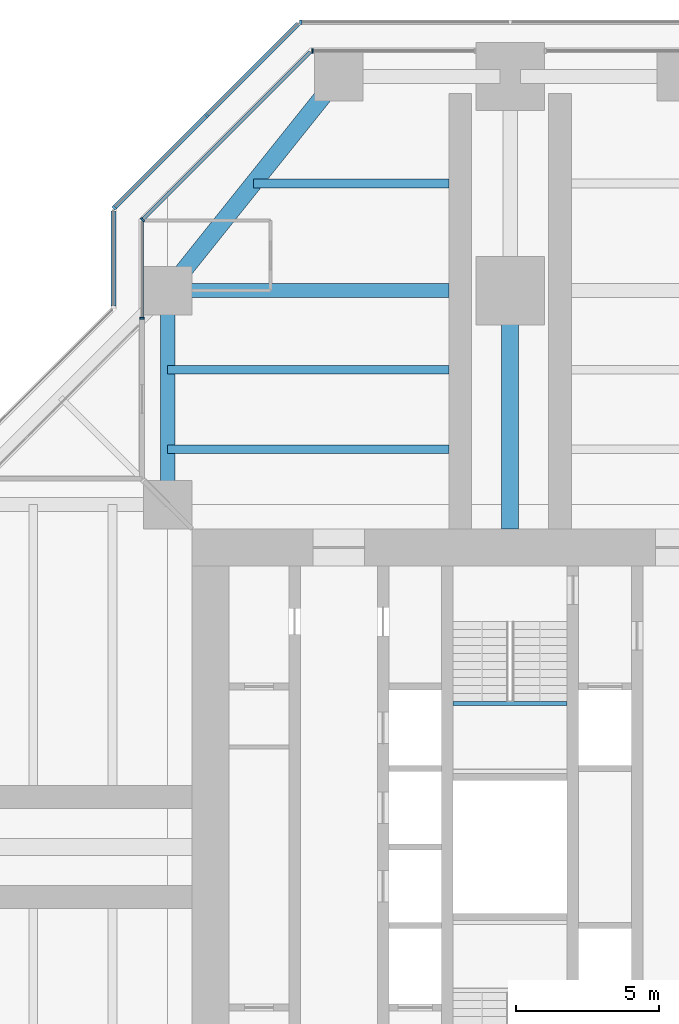
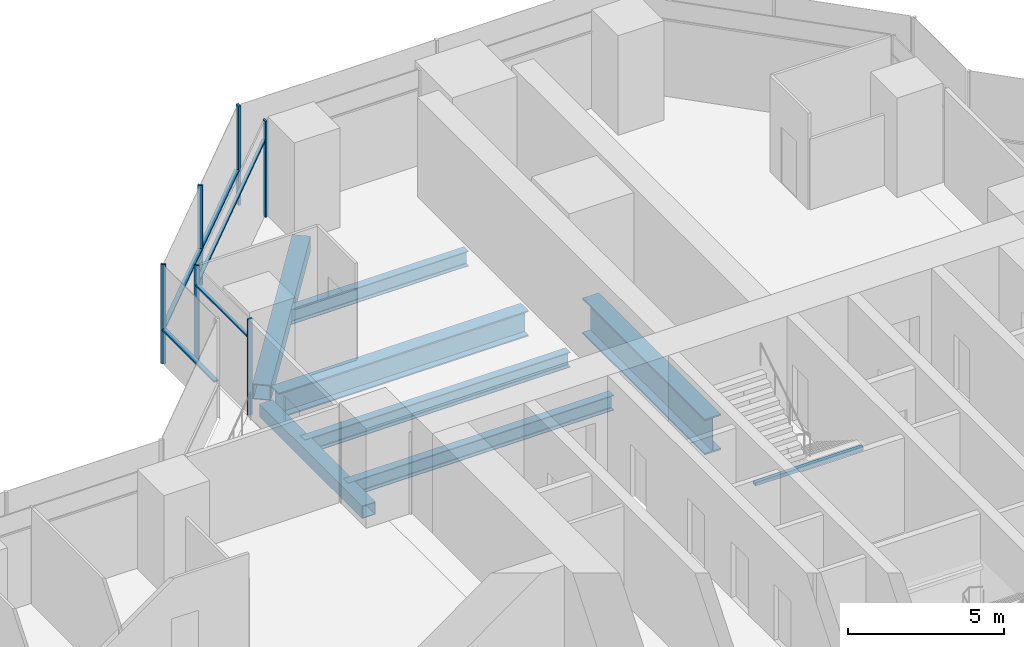
# One storey, part 8 of 20: 11 members, 8 beams, 6 elements without a shape of their own.
"""IFC4 building model written with IfcOpenShell, lengths in metres."""

from ifc_helpers import new_model, si_unit, direction, frame, origin, origin_2d, place, context, subcontext, project, spatial, rectangle, hollow_rectangle, i_section, extrude, material, material_profile, profile_set, type_object, element, aggregate, save


model = new_model("IFC4")

# Units and contexts
model_context = context("Model", 3, precision=1e-05, world=origin(), true_north=direction((0.0, 1.0)))
body_context = subcontext(model_context, "Body", "Model", "MODEL_VIEW")
ifc_project = project(units=[si_unit("LENGTHUNIT", "METRE"), si_unit("AREAUNIT", "SQUARE_METRE"), si_unit("VOLUMEUNIT", "CUBIC_METRE"), si_unit("PLANEANGLEUNIT", "RADIAN"), si_unit("MASSUNIT", "GRAM", prefix="KILO")], contexts=[model_context])

# Site, building, storey
site_placement = place(None, origin())
site = spatial("IfcSite", under=ifc_project, at=site_placement, CompositionType="ELEMENT")
building_placement = place(site_placement, origin())
building = spatial("IfcBuilding", under=site, at=building_placement, Name="Mizan Broadcast Tower", CompositionType="ELEMENT")
storey_placement = place(building_placement, frame((0.0, 0.0, 178.800048828125)))
storey = spatial("IfcBuildingStorey", under=building, at=storey_placement, Name="L41", CompositionType="ELEMENT", Elevation=178.800048828125)

# Beams
ifc_material_1 = material(Name="Steel S355", Category="steel")
ifc_material_profile_1 = material_profile(ifc_material_1, hollow_rectangle(XDim=0.5, YDim=0.5, WallThickness=0.030029296875, at=origin_2d()), Name="BOX 500x500x30")
ifc_profile_set_1 = profile_set([ifc_material_profile_1], Name="Steel S355")
beam_type_1 = type_object("IfcBeamType", Name="EDGE BEAM BOX 500x500x30", PredefinedType="SPANDREL", material=ifc_profile_set_1)
beam_1_placement = place(storey_placement, frame((-12.0, 12.449951171875, -0.380126953125), z_axis=(0.0, 1.0, 0.0), x_axis=(-1.0, 0.0, 0.0)))
element("IfcBeam", 1, at=beam_1_placement, inside=storey, type_object=beam_type_1, Name="Edge beam BOX 500x500x30 L41 north arm", PredefinedType="SPANDREL", context=body_context, shape_type="SweptSolid", body=[
    extrude(hollow_rectangle(XDim=0.5, YDim=0.5, WallThickness=0.030029296875, at=origin_2d()), origin(), (0.0, 0.0, 1.0), 6.60009765625),
])
ifc_material_2 = material(Name="Steel S355", Category="steel")
ifc_material_profile_2 = material_profile(ifc_material_2, hollow_rectangle(XDim=0.60009765625, YDim=0.60009765625, WallThickness=0.030029296875, at=origin_2d()), Name="BOX 600x600x30")
ifc_profile_set_2 = profile_set([ifc_material_profile_2], Name="Steel S355")
beam_type_2 = type_object("IfcBeamType", Name="EDGE BEAM BOX 600x600x30", PredefinedType="SPANDREL", material=ifc_profile_set_2)
beam_2_placement = place(storey_placement, frame((-11.639892578125, 19.949951171875, -0.429931640625), z_axis=(0.624673911726, 0.780885717636, 0.0), x_axis=(-0.780885717636, 0.624673911726, 0.0)))
element("IfcBeam", 2, at=beam_2_placement, inside=storey, type_object=beam_type_2, Name="Edge beam BOX 600x600x30 L41 north arm", PredefinedType="SPANDREL", context=body_context, shape_type="SweptSolid", body=[
    extrude(hollow_rectangle(XDim=0.60009765625, YDim=0.60009765625, WallThickness=0.030029296875, at=origin_2d()), origin(), (0.0, 0.0, 1.0), 8.4521484375),
])
ifc_material_3 = material(Name="Steel S460", Category="steel")
ifc_material_profile_3 = material_profile(ifc_material_3, i_section(OverallWidth=0.5, OverallDepth=1.0, WebThickness=0.02490234375, FlangeThickness=0.050048828125, at=origin_2d()), Name="WPG 1000x500")
ifc_profile_set_3 = profile_set([ifc_material_profile_3], Name="Steel S460")
beam_type_3 = type_object("IfcBeamType", Name="GIRDER WPG 1000x500", PredefinedType="BEAM", material=ifc_profile_set_3)
beam_3_placement = place(storey_placement, frame((-11.408935546875, 19.5, -0.630126953125), z_axis=(1.0, 0.0, 0.0), x_axis=(0.0, 1.0, 0.0)))
element("IfcBeam", 3, at=beam_3_placement, inside=storey, type_object=beam_type_3, Name="Girder WPG 1000x500 L41 north arm", PredefinedType="BEAM", context=body_context, shape_type="SweptSolid", body=[
    extrude(i_section(OverallWidth=0.5, OverallDepth=1.0, WebThickness=0.02490234375, FlangeThickness=0.050048828125, at=origin_2d()), origin(), (0.0, 0.0, 1.0), 9.259033203125),
])
ifc_material_4 = material(Name="Steel S460", Category="steel")
ifc_material_profile_4 = material_profile(ifc_material_4, i_section(OverallWidth=0.60009765625, OverallDepth=1.39990234375, WebThickness=0.02490234375, FlangeThickness=0.06005859375, at=origin_2d()), Name="WPG 1400x600")
ifc_profile_set_4 = profile_set([ifc_material_profile_4], Name="Steel S460")
beam_type_4 = type_object("IfcBeamType", Name="GIRDER WPG 1400x600", PredefinedType="BEAM", material=ifc_profile_set_4)
beam_4_placement = place(storey_placement, frame((0.0, 11.14990234375, -0.830078125), z_axis=(0.0, 1.0, 0.0), x_axis=(-1.0, 0.0, 0.0)))
element("IfcBeam", 4, at=beam_4_placement, inside=storey, type_object=beam_type_4, Name="Girder WPG 1400x600 L41 north arm", PredefinedType="BEAM", context=body_context, shape_type="SweptSolid", body=[
    extrude(i_section(OverallWidth=0.60009765625, OverallDepth=1.39990234375, WebThickness=0.02490234375, FlangeThickness=0.06005859375, at=origin_2d()), origin(), (0.0, 0.0, 1.0), 7.84912109375),
])

# Curtain wall, member
ifc_material_5 = material(Name="Aluminium framed glazing", Category="aluminium")
curtain_wall_type_1 = type_object("IfcCurtainWallType", Name="INNER SKIN MID ZONE", PredefinedType="USERDEFINED", material=ifc_material_5)
curtain_wall_1_placement = place(storey_placement, origin())
curtain_wall_1 = element("IfcCurtainWall", 5, at=curtain_wall_1_placement, inside=storey, type_object=curtain_wall_type_1, Name="Inner skin mid zone L41 N end", ObjectType="INNER SKIN MID ZONE", PredefinedType="USERDEFINED")
ifc_material_6 = material(Name="Aluminium, pale anodised", Category="aluminium")
ifc_material_profile_5 = material_profile(ifc_material_6, rectangle(XDim=0.159912109375, YDim=0.06005859375, at=origin_2d()), Name="MULLION 160x60")
ifc_profile_set_5 = profile_set([ifc_material_profile_5], Name="Aluminium, pale anodised")
member_type_1 = type_object("IfcMemberType", Name="INNER SKIN MULLION 60x160", PredefinedType="MULLION", material=ifc_profile_set_5)
member_1_placement = place(storey_placement, frame((-6.928466796875, 27.89990234375, 0.0), z_axis=(0.0, 0.0, 1.0), x_axis=(0.0, -1.0, 0.0)))
member_1 = element("IfcMember", 6, at=member_1_placement, type_object=member_type_1, Name="Inner skin mid zone L41 N end mullion 2", PredefinedType="MULLION", context=body_context, shape_type="SweptSolid", body=[
    extrude(rectangle(XDim=0.159912109375, YDim=0.06005859375, at=origin_2d()), origin(), (0.0, 0.0, 1.0), 3.77001953125),
])
aggregate(curtain_wall_1, [member_1])

curtain_wall_2_placement = place(storey_placement, origin())
curtain_wall_2 = element("IfcCurtainWall", 7, at=curtain_wall_2_placement, inside=storey, type_object=curtain_wall_type_1, Name="Inner skin mid zone L41 N chamfer", ObjectType="INNER SKIN MID ZONE", PredefinedType="USERDEFINED")
member_2_placement = place(storey_placement, frame((-12.87890625, 21.979736328125, 0.0), z_axis=(0.0, 0.0, 1.0), x_axis=(0.707106781187, -0.707106781187, 0.0)))
member_2 = element("IfcMember", 8, at=member_2_placement, type_object=member_type_1, Name="Inner skin mid zone L41 N chamfer mullion 2", PredefinedType="MULLION", context=body_context, shape_type="SweptSolid", body=[
    extrude(rectangle(XDim=0.159912109375, YDim=0.06005859375, at=origin_2d()), origin(), (0.0, 0.0, 1.0), 3.77001953125),
])

curtain_wall_3_placement = place(storey_placement, origin())
curtain_wall_3 = element("IfcCurtainWall", 9, at=curtain_wall_3_placement, inside=storey, type_object=curtain_wall_type_1, Name="Inner skin mid zone L41 N side", ObjectType="INNER SKIN MID ZONE", PredefinedType="USERDEFINED")
member_3_placement = place(storey_placement, frame((-12.89990234375, 18.530029296875, 0.0), z_axis=(0.0, 0.0, 1.0), x_axis=(1.0, 0.0, 0.0)))
member_3 = element("IfcMember", 10, at=member_3_placement, type_object=member_type_1, Name="Inner skin mid zone L41 N side mullion 2", PredefinedType="MULLION", context=body_context, shape_type="SweptSolid", body=[
    extrude(rectangle(XDim=0.159912109375, YDim=0.06005859375, at=origin_2d()), origin(), (0.0, 0.0, 1.0), 3.77001953125),
])

# Member
ifc_material_7 = material(Name="Aluminium, pale anodised", Category="aluminium")
ifc_material_profile_6 = material_profile(ifc_material_7, rectangle(XDim=0.1201171875, YDim=0.06005859375, at=origin_2d()), Name="TRANSOM 120x60")
ifc_profile_set_6 = profile_set([ifc_material_profile_6], Name="Aluminium, pale anodised")
member_type_2 = type_object("IfcMemberType", Name="INNER SKIN TRANSOM 60x120", PredefinedType="USERDEFINED", material=ifc_profile_set_6)
member_4_placement = place(storey_placement, frame((-7.0009765625, 27.857666015625, 3.030029296875), z_axis=(-0.707106781187, -0.707106781187, 0.0), x_axis=(0.707106781187, -0.707106781187, 0.0)))
member_4 = element("IfcMember", 11, at=member_4_placement, type_object=member_type_2, Name="Inner skin mid zone L41 N chamfer transom 1.1", ObjectType="TRANSOM", PredefinedType="USERDEFINED", context=body_context, shape_type="SweptSolid", body=[
    extrude(rectangle(XDim=0.1201171875, YDim=0.06005859375, at=origin_2d()), origin(), (0.0, 0.0, 1.0), 8.28271484375),
])

aggregate(curtain_wall_2, [member_2, member_4])

member_5_placement = place(storey_placement, frame((-12.89990234375, 21.898681640625, 3.030029296875), z_axis=(0.0, -1.0, 0.0), x_axis=(1.0, 0.0, 0.0)))
member_5 = element("IfcMember", 12, at=member_5_placement, type_object=member_type_2, Name="Inner skin mid zone L41 N side transom 1.1", ObjectType="TRANSOM", PredefinedType="USERDEFINED", context=body_context, shape_type="SweptSolid", body=[
    extrude(rectangle(XDim=0.1201171875, YDim=0.06005859375, at=origin_2d()), origin(), (0.0, 0.0, 1.0), 3.338623046875),
])

aggregate(curtain_wall_3, [member_3, member_5])

# Beam
ifc_material_8 = material(Name="Steel S355", Category="steel")
ifc_material_profile_7 = material_profile(ifc_material_8, hollow_rectangle(XDim=0.14990234375, YDim=0.14990234375, WallThickness=0.008056640625, InnerFilletRadius=0.008056640625, OuterFilletRadius=0.011962890625, at=origin_2d()), Name="SHS 150x150x8")
ifc_profile_set_7 = profile_set([ifc_material_profile_7], Name="Steel S355")
beam_type_5 = type_object("IfcBeamType", Name="LANDING TRIMMER SHS 150x150x8", PredefinedType="BEAM", material=ifc_profile_set_7)
beam_5_placement = place(storey_placement, frame((2.0, 5.02490234375, 1.675048828125), z_axis=(-1.0, 0.0, 0.0), x_axis=(0.0, -1.0, 0.0)))
element("IfcBeam", 13, at=beam_5_placement, inside=storey, type_object=beam_type_5, Name="Stair B landing trimmer L41", PredefinedType="BEAM", context=body_context, shape_type="SweptSolid", body=[
    extrude(hollow_rectangle(XDim=0.14990234375, YDim=0.14990234375, WallThickness=0.008056640625, InnerFilletRadius=0.008056640625, OuterFilletRadius=0.011962890625, at=origin_2d()), origin(), (0.0, 0.0, 1.0), 4.0),
])

# Curtain wall, member
ifc_material_9 = material(Name="Aluminium framed glazing", Category="aluminium")
curtain_wall_type_2 = type_object("IfcCurtainWallType", Name="OUTER SKIN", PredefinedType="USERDEFINED", material=ifc_material_9)
curtain_wall_4_placement = place(storey_placement, origin())
curtain_wall_4 = element("IfcCurtainWall", 14, at=curtain_wall_4_placement, inside=storey, type_object=curtain_wall_type_2, Name="Outer skin L41 N end", ObjectType="OUTER SKIN", PredefinedType="USERDEFINED")
ifc_material_10 = material(Name="Aluminium, pale anodised", Category="aluminium")
ifc_material_profile_8 = material_profile(ifc_material_10, rectangle(XDim=0.159912109375, YDim=0.080078125, at=origin_2d()), Name="MULLION 160x80")
ifc_profile_set_8 = profile_set([ifc_material_profile_8], Name="Aluminium, pale anodised")
member_type_3 = type_object("IfcMemberType", Name="OUTER SKIN MULLION 80x160", PredefinedType="MULLION", material=ifc_profile_set_8)
member_6_placement = place(storey_placement, frame((-7.332763671875, 28.89990234375, 0.0), z_axis=(0.0, 0.0, 1.0), x_axis=(0.0, -1.0, 0.0)))
member_6 = element("IfcMember", 15, at=member_6_placement, type_object=member_type_3, Name="Outer skin L41 N end mullion 3", PredefinedType="MULLION", context=body_context, shape_type="SweptSolid", body=[
    extrude(rectangle(XDim=0.159912109375, YDim=0.080078125, at=origin_2d()), origin(), (0.0, 0.0, 1.0), 3.89990234375),
])
aggregate(curtain_wall_4, [member_6])

# Curtain wall, members
curtain_wall_5_placement = place(storey_placement, origin())
curtain_wall_5 = element("IfcCurtainWall", 16, at=curtain_wall_5_placement, inside=storey, type_object=curtain_wall_type_2, Name="Outer skin L41 N chamfer", ObjectType="OUTER SKIN", PredefinedType="USERDEFINED")
member_7_placement = place(storey_placement, frame((-10.636474609375, 25.636474609375, 0.0), z_axis=(0.0, 0.0, 1.0), x_axis=(0.707106781187, -0.707106781187, 0.0)))
member_7 = element("IfcMember", 17, at=member_7_placement, type_object=member_type_3, Name="Outer skin L41 N chamfer mullion 2", PredefinedType="MULLION", context=body_context, shape_type="SweptSolid", body=[
    extrude(rectangle(XDim=0.159912109375, YDim=0.080078125, at=origin_2d()), origin(), (0.0, 0.0, 1.0), 3.89990234375),
])
member_8_placement = place(storey_placement, frame((-13.871826171875, 22.401123046875, 0.0), z_axis=(0.0, 0.0, 1.0), x_axis=(0.707106781187, -0.707106781187, 0.0)))
member_8 = element("IfcMember", 18, at=member_8_placement, type_object=member_type_3, Name="Outer skin L41 N chamfer mullion 3", PredefinedType="MULLION", context=body_context, shape_type="SweptSolid", body=[
    extrude(rectangle(XDim=0.159912109375, YDim=0.080078125, at=origin_2d()), origin(), (0.0, 0.0, 1.0), 3.89990234375),
])
ifc_material_11 = material(Name="Aluminium, pale anodised", Category="aluminium")
ifc_material_profile_9 = material_profile(ifc_material_11, rectangle(XDim=0.159912109375, YDim=0.06005859375, at=origin_2d()), Name="TRANSOM 160x60")
ifc_profile_set_9 = profile_set([ifc_material_profile_9], Name="Aluminium, pale anodised")
member_type_4 = type_object("IfcMemberType", Name="OUTER SKIN TRANSOM 60x160", PredefinedType="USERDEFINED", material=ifc_profile_set_9)
member_9_placement = place(storey_placement, frame((-7.429443359375, 28.843505859375, 1.39990234375), z_axis=(-0.707106781187, -0.707106781187, 0.0), x_axis=(0.707106781187, -0.707106781187, 0.0)))
member_9 = element("IfcMember", 19, at=member_9_placement, type_object=member_type_4, Name="Outer skin L41 N chamfer transom 1.1", ObjectType="TRANSOM", PredefinedType="USERDEFINED", context=body_context, shape_type="SweptSolid", body=[
    extrude(rectangle(XDim=0.159912109375, YDim=0.06005859375, at=origin_2d()), origin(), (0.0, 0.0, 1.0), 4.495361328125),
])
member_10_placement = place(storey_placement, frame((-10.664794921875, 25.608154296875, 1.39990234375), z_axis=(-0.707106781187, -0.707106781187, 0.0), x_axis=(0.707106781187, -0.707106781187, 0.0)))
member_10 = element("IfcMember", 20, at=member_10_placement, type_object=member_type_4, Name="Outer skin L41 N chamfer transom 2.1", ObjectType="TRANSOM", PredefinedType="USERDEFINED", context=body_context, shape_type="SweptSolid", body=[
    extrude(rectangle(XDim=0.159912109375, YDim=0.06005859375, at=origin_2d()), origin(), (0.0, 0.0, 1.0), 4.495361328125),
])
aggregate(curtain_wall_5, [member_7, member_8, member_9, member_10])

# Curtain wall, member
curtain_wall_6_placement = place(storey_placement, origin())
curtain_wall_6 = element("IfcCurtainWall", 21, at=curtain_wall_6_placement, inside=storey, type_object=curtain_wall_type_2, Name="Outer skin L41 N side", ObjectType="OUTER SKIN", PredefinedType="USERDEFINED")
member_11_placement = place(storey_placement, frame((-13.89990234375, 22.292724609375, 1.39990234375), z_axis=(0.0, -1.0, 0.0), x_axis=(1.0, 0.0, 0.0)))
member_11 = element("IfcMember", 22, at=member_11_placement, type_object=member_type_4, Name="Outer skin L41 N side transom 1.1", ObjectType="TRANSOM", PredefinedType="USERDEFINED", context=body_context, shape_type="SweptSolid", body=[
    extrude(rectangle(XDim=0.159912109375, YDim=0.06005859375, at=origin_2d()), origin(), (0.0, 0.0, 1.0), 3.33984375),
])
aggregate(curtain_wall_6, [member_11])

# Beams
ifc_material_12 = material(Name="Steel S355", Category="steel")
ifc_material_profile_10 = material_profile(ifc_material_12, i_section(OverallWidth=0.300048828125, OverallDepth=0.590087890625, WebThickness=0.012939453125, FlangeThickness=0.02490234375, FilletRadius=0.027099609375, at=origin_2d()), Name="HEA 600")
ifc_profile_set_10 = profile_set([ifc_material_profile_10], Name="Steel S355")
beam_type_6 = type_object("IfcBeamType", Name="SECONDARY BEAM HEA 600", PredefinedType="JOIST", material=ifc_profile_set_10)
for number, where, z_axis, x_axis, name in (
    (23, (-12.0, 13.933349609375, -0.425048828125), (1.0, 0.0, 0.0), (0.0, 1.0, 0.0), "Secondary beam HEA 600 L41 north arm"),
    (24, (-12.0, 16.716552734375, -0.425048828125), (1.0, 0.0, 0.0), (0.0, 1.0, 0.0), "Secondary beam HEA 600 L41 north arm"),
):
    element("IfcBeam", number, at=place(storey_placement, frame(where, z_axis=z_axis, x_axis=x_axis)), inside=storey, type_object=beam_type_6, Name=name, PredefinedType="JOIST", context=body_context, shape_type="SweptSolid", body=[
        extrude(i_section(OverallWidth=0.300048828125, OverallDepth=0.590087890625, WebThickness=0.012939453125, FlangeThickness=0.02490234375, FilletRadius=0.027099609375, at=origin_2d()), origin(), (0.0, 0.0, 1.0), 9.85009765625),
    ])
beam_6_placement = place(storey_placement, frame((-9.0, 23.25, -0.425048828125), z_axis=(1.0, 0.0, 0.0), x_axis=(0.0, 1.0, 0.0)))
element("IfcBeam", 25, at=beam_6_placement, inside=storey, type_object=beam_type_6, Name="Secondary beam HEA 600 L41 north arm", PredefinedType="JOIST", context=body_context, shape_type="SweptSolid", body=[
    extrude(i_section(OverallWidth=0.300048828125, OverallDepth=0.590087890625, WebThickness=0.012939453125, FlangeThickness=0.02490234375, FilletRadius=0.027099609375, at=origin_2d()), origin(), (0.0, 0.0, 1.0), 6.85009765625),
])

save(model, "model.ifc")
